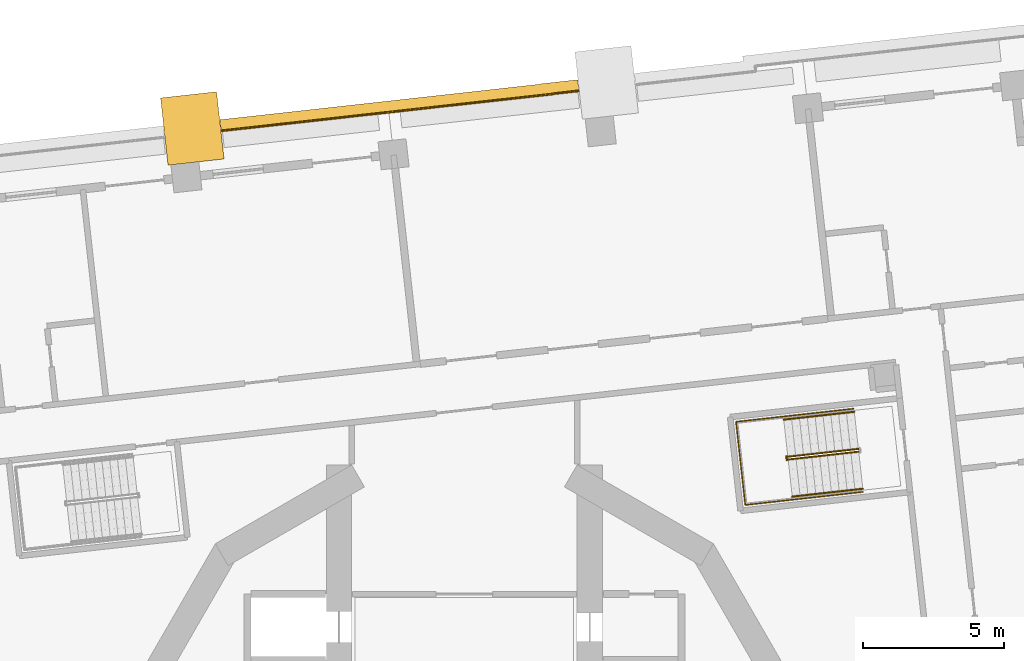
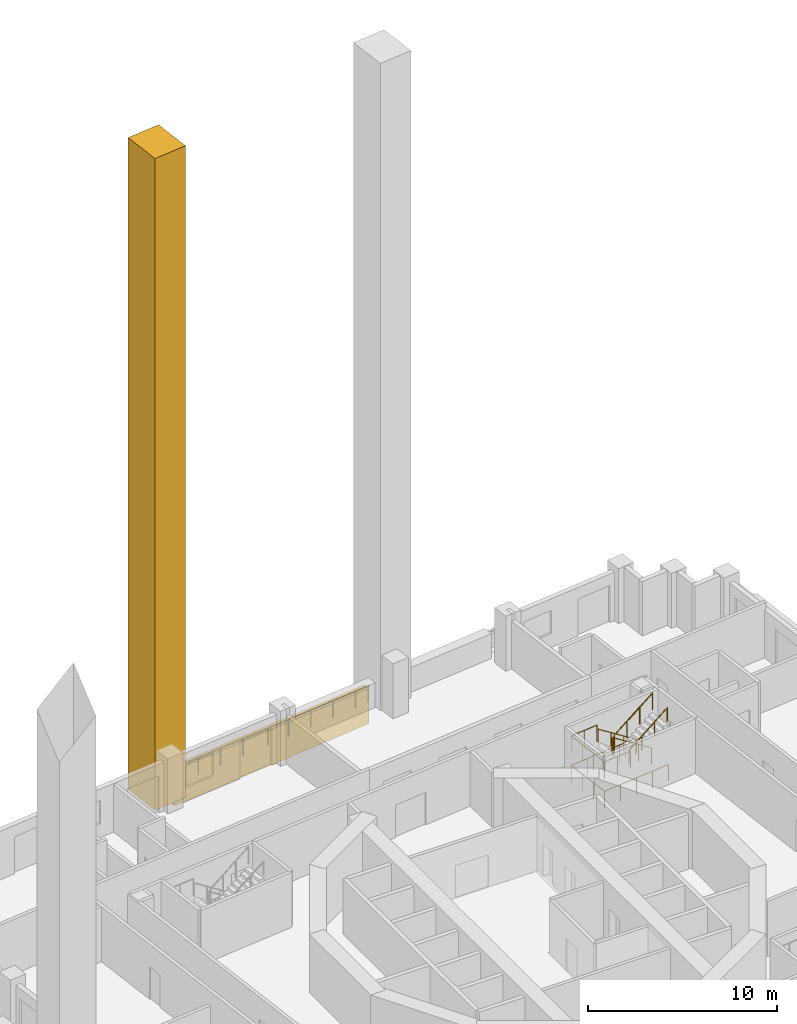
# One storey, part 17 of 20: 7 railings, 2 coverings.
"""IFC4 building model written with IfcOpenShell, lengths in metres."""

from ifc_helpers import new_model, si_unit, direction, frame, origin, origin_2d, place, context, subcontext, project, spatial, polyline, rectangle, circle, outline, extrude, material, type_object, element, save


model = new_model("IFC4")

# Units and contexts
model_context = context("Model", 3, precision=1e-05, world=origin(), true_north=direction((0.0, 1.0)))
body_context = subcontext(model_context, "Body", "Model", "MODEL_VIEW")
ifc_project = project(units=[si_unit("LENGTHUNIT", "METRE"), si_unit("AREAUNIT", "SQUARE_METRE"), si_unit("VOLUMEUNIT", "CUBIC_METRE"), si_unit("PLANEANGLEUNIT", "RADIAN"), si_unit("MASSUNIT", "GRAM", prefix="KILO")], contexts=[model_context])

# Site, building, storey
site_placement = place(None, origin())
site = spatial("IfcSite", under=ifc_project, at=site_placement, CompositionType="ELEMENT")
building_placement = place(site_placement, origin())
building = spatial("IfcBuilding", under=site, at=building_placement, Name="Cantera Rosa Tower", CompositionType="ELEMENT")
storey_placement = place(building_placement, frame((0.0, 0.0, 42.5)))
storey = spatial("IfcBuildingStorey", under=building, at=storey_placement, Name="L07", CompositionType="ELEMENT", Elevation=42.5)

# Railings
ifc_material_1 = material(Name="Stainless steel and laminated glass", Category="steel")
railing_type_1 = type_object("IfcRailingType", Name="GUARD 1100", PredefinedType="BALUSTRADE", material=ifc_material_1)
railing_1_placement = place(storey_placement, frame((-8.6142578125, 23.4931640625, 0.0)))
element("IfcRailing", 1, at=railing_1_placement, inside=storey, type_object=railing_type_1, Name="GUARD L07-5", PredefinedType="BALUSTRADE", context=body_context, shape_type="SweptSolid", body=[
    extrude(circle(Radius=0.030029296875, at=origin_2d()), frame((0.0, 0.0, 1.070068359375), z_axis=(0.994136314057, 0.108134125389, 0.0), x_axis=(-0.108134125389, 0.994136314057, 0.0)), (0.0, 0.0, 1.0), 0.070068359375),
    extrude(circle(Radius=0.030029296875, at=origin_2d()), frame((0.069580078125, 0.007568359375, 1.070068359375), z_axis=(0.993891851654, 0.110358448777, 0.0), x_axis=(-0.110358448777, 0.993891851654, 0.0)), (0.0, 0.0, 1.0), 4.400146484375),
    extrude(circle(Radius=0.030029296875, at=origin_2d()), frame((4.44287109375, 0.4931640625, 1.070068359375), z_axis=(0.993903570985, 0.110252852946, 0.0), x_axis=(-0.110252852946, 0.993903570985, 0.0)), (0.0, 0.0, 1.0), 1.649658203125),
    extrude(circle(Radius=0.030029296875, at=origin_2d()), frame((6.08251953125, 0.675048828125, 1.070068359375), z_axis=(1.0, 0.0, 0.0), x_axis=(0.0, 1.0, 0.0)), (0.0, 0.0, 1.0), 0.000244140625),
    extrude(circle(Radius=0.030029296875, at=origin_2d()), frame((6.082763671875, 0.675048828125, 1.070068359375), z_axis=(0.993896959738, 0.110312435488, 0.0), x_axis=(-0.110312435488, 0.993896959738, 0.0)), (0.0, 0.0, 1.0), 1.35009765625),
    extrude(circle(Radius=0.030029296875, at=origin_2d()), frame((7.424560546875, 0.823974609375, 1.070068359375), z_axis=(0.993896624414, 0.110315456661, 0.0), x_axis=(-0.110315456661, 0.993896624414, 0.0)), (0.0, 0.0, 1.0), 4.386474609375),
    extrude(circle(Radius=0.030029296875, at=origin_2d()), frame((11.7841796875, 1.307861328125, 1.070068359375), z_axis=(0.980580675691, 0.196116135138, 0.0), x_axis=(-0.196116135138, 0.980580675691, 0.0)), (0.0, 0.0, 1.0), 0.003662109375),
    extrude(circle(Radius=0.030029296875, at=origin_2d()), frame((11.787841796875, 1.30859375, 1.070068359375), z_axis=(-0.102028865499, 0.994781438611, 0.0), x_axis=(-0.994781438611, -0.102028865499, 0.0)), (0.0, 0.0, 1.0), 0.009521484375),
    extrude(circle(Radius=0.030029296875, at=origin_2d()), frame((11.786865234375, 1.318115234375, 1.070068359375), z_axis=(0.993914151413, 0.110157431075, 0.0), x_axis=(-0.110157431075, 0.993914151413, 0.0)), (0.0, 0.0, 1.0), 0.8798828125),
    extrude(circle(Radius=0.02490234375, at=origin_2d()), origin(), (0.0, 0.0, 1.0), 1.0400390625),
    extrude(circle(Radius=0.02490234375, at=origin_2d()), frame((0.069580078125, 0.007568359375, 0.0)), (0.0, 0.0, 1.0), 1.0400390625),
    extrude(circle(Radius=0.02490234375, at=origin_2d()), frame((1.52734375, 0.16943359375, 0.0)), (0.0, 0.0, 1.0), 1.0400390625),
    extrude(circle(Radius=0.02490234375, at=origin_2d()), frame((2.985107421875, 0.331298828125, 0.0)), (0.0, 0.0, 1.0), 1.0400390625),
    extrude(circle(Radius=0.02490234375, at=origin_2d()), frame((4.44287109375, 0.4931640625, 0.0)), (0.0, 0.0, 1.0), 1.0400390625),
    extrude(circle(Radius=0.02490234375, at=origin_2d()), frame((6.08251953125, 0.675048828125, 0.0)), (0.0, 0.0, 1.0), 1.0400390625),
    extrude(circle(Radius=0.02490234375, at=origin_2d()), frame((6.082763671875, 0.675048828125, 0.0)), (0.0, 0.0, 1.0), 1.0400390625),
    extrude(circle(Radius=0.02490234375, at=origin_2d()), frame((7.424560546875, 0.823974609375, 0.0)), (0.0, 0.0, 1.0), 1.0400390625),
    extrude(circle(Radius=0.02490234375, at=origin_2d()), frame((8.877685546875, 0.9853515625, 0.0)), (0.0, 0.0, 1.0), 1.0400390625),
    extrude(circle(Radius=0.02490234375, at=origin_2d()), frame((10.3310546875, 1.146484375, 0.0)), (0.0, 0.0, 1.0), 1.0400390625),
    extrude(circle(Radius=0.02490234375, at=origin_2d()), frame((11.7841796875, 1.307861328125, 0.0)), (0.0, 0.0, 1.0), 1.0400390625),
    extrude(circle(Radius=0.02490234375, at=origin_2d()), frame((11.787841796875, 1.30859375, 0.0)), (0.0, 0.0, 1.0), 1.0400390625),
    extrude(circle(Radius=0.02490234375, at=origin_2d()), frame((11.786865234375, 1.318115234375, 0.0)), (0.0, 0.0, 1.0), 1.0400390625),
    extrude(circle(Radius=0.02490234375, at=origin_2d()), frame((12.661376953125, 1.4150390625, 0.0)), (0.0, 0.0, 1.0), 1.0400390625),
])
ifc_material_2 = material(Name="Steel S355J2 (EN 10025-2)", Category="steel")
railing_type_2 = type_object("IfcRailingType", Name="STAIR GUARD 1100", PredefinedType="GUARDRAIL", material=ifc_material_2)
railing_2_placement = place(storey_placement, frame((13.986083984375, 12.203125, 0.18994140625)))
element("IfcRailing", 2, at=railing_2_placement, inside=storey, type_object=railing_type_2, Name="L07 ST-11 stair guard 1", PredefinedType="GUARDRAIL", context=body_context, shape_type="SweptSolid", body=[
    extrude(circle(Radius=0.02392578125, at=origin_2d()), frame((0.0, 0.0, 1.076171875), z_axis=(-0.822431337597, -0.091310000343, 0.561488360321), x_axis=(0.110346460196, -0.993893182753, 0.0)), (0.0, 0.0, 1.0), 3.04541015625),
    extrude(circle(Radius=0.02392578125, at=origin_2d()), frame((-2.504638671875, -0.278076171875, 2.7861328125), z_axis=(-0.931434406233, 0.363909256389, 0.0), x_axis=(-0.363909256389, -0.931434406233, 0.0)), (0.0, 0.0, 1.0), 0.056396484375),
    extrude(circle(Radius=0.02392578125, at=origin_2d()), frame((-2.55712890625, -0.257568359375, 2.7861328125), z_axis=(0.1090029065, -0.994041430915, 0.0), x_axis=(0.994041430915, 0.1090029065, 0.0)), (0.0, 0.0, 1.0), 0.150146484375),
    extrude(circle(Radius=0.02099609375, at=origin_2d()), origin(), (0.0, 0.0, 1.0), 1.052001953125),
    extrude(circle(Radius=0.02099609375, at=origin_2d()), frame((-0.8349609375, -0.0927734375, 0.570068359375)), (0.0, 0.0, 1.0), 1.052001953125),
    extrude(circle(Radius=0.02099609375, at=origin_2d()), frame((-1.669677734375, -0.185302734375, 1.139892578125)), (0.0, 0.0, 1.0), 1.052001953125),
    extrude(circle(Radius=0.02099609375, at=origin_2d()), frame((-2.504638671875, -0.278076171875, 1.7099609375)), (0.0, 0.0, 1.0), 1.052001953125),
    extrude(circle(Radius=0.02099609375, at=origin_2d()), frame((-2.55712890625, -0.257568359375, 1.7099609375)), (0.0, 0.0, 1.0), 1.052001953125),
    extrude(circle(Radius=0.02099609375, at=origin_2d()), frame((-2.540771484375, -0.40673828125, 1.7099609375)), (0.0, 0.0, 1.0), 1.052001953125),
])
railing_3_placement = place(storey_placement, frame((11.4921875, 11.82763671875, 2.090087890625)))
element("IfcRailing", 3, at=railing_3_placement, inside=storey, type_object=railing_type_2, Name="L07 ST-11 stair guard 2", PredefinedType="GUARDRAIL", context=body_context, shape_type="SweptSolid", body=[
    extrude(circle(Radius=0.02392578125, at=origin_2d()), frame((0.0, 0.0, 1.076171875), z_axis=(0.822431337597, 0.091310000343, 0.561488360321), x_axis=(-0.110346460196, 0.993893182753, 0.0)), (0.0, 0.0, 1.0), 3.04541015625),
    extrude(circle(Radius=0.02099609375, at=origin_2d()), origin(), (0.0, 0.0, 1.0), 1.052001953125),
    extrude(circle(Radius=0.02099609375, at=origin_2d()), frame((0.8349609375, 0.0927734375, 0.570068359375)), (0.0, 0.0, 1.0), 1.052001953125),
    extrude(circle(Radius=0.02099609375, at=origin_2d()), frame((1.669677734375, 0.185302734375, 1.139892578125)), (0.0, 0.0, 1.0), 1.052001953125),
    extrude(circle(Radius=0.02099609375, at=origin_2d()), frame((2.504638671875, 0.278076171875, 1.7099609375)), (0.0, 0.0, 1.0), 1.052001953125),
])
railing_4_placement = place(storey_placement, frame((13.815673828125, 13.629150390625, 0.0)))
element("IfcRailing", 4, at=railing_4_placement, inside=storey, type_object=railing_type_2, Name="L07 ST-11 stair guard 4", PredefinedType="GUARDRAIL", context=body_context, shape_type="SweptSolid", body=[
    extrude(circle(Radius=0.02392578125, at=origin_2d()), frame((0.0, 0.0, 1.076171875), z_axis=(-0.9938957856, -0.110323013767, 0.0), x_axis=(0.110323013767, -0.9938957856, 0.0)), (0.0, 0.0, 1.0), 4.197998046875),
    extrude(circle(Radius=0.02392578125, at=origin_2d()), frame((-4.17236328125, -0.463134765625, 1.076171875), z_axis=(0.110314237986, -0.993896759678, 0.0), x_axis=(0.993896759678, 0.110314237986, 0.0)), (0.0, 0.0, 1.0), 2.969970703125),
    extrude(circle(Radius=0.02392578125, at=origin_2d()), frame((-3.8447265625, -3.4150390625, 1.076171875), z_axis=(0.9938957856, 0.110323013767, 0.0), x_axis=(-0.110323013767, 0.9938957856, 0.0)), (0.0, 0.0, 1.0), 4.197998046875),
    extrude(circle(Radius=0.02099609375, at=origin_2d()), origin(), (0.0, 0.0, 1.0), 1.052001953125),
    extrude(circle(Radius=0.02099609375, at=origin_2d()), frame((-1.04296875, -0.11572265625, 0.0)), (0.0, 0.0, 1.0), 1.052001953125),
    extrude(circle(Radius=0.02099609375, at=origin_2d()), frame((-2.086181640625, -0.2314453125, 0.0)), (0.0, 0.0, 1.0), 1.052001953125),
    extrude(circle(Radius=0.02099609375, at=origin_2d()), frame((-3.12939453125, -0.347412109375, 0.0)), (0.0, 0.0, 1.0), 1.052001953125),
    extrude(circle(Radius=0.02099609375, at=origin_2d()), frame((-4.17236328125, -0.463134765625, 0.0)), (0.0, 0.0, 1.0), 1.052001953125),
    extrude(circle(Radius=0.02099609375, at=origin_2d()), frame((-4.063232421875, -1.447021484375, 0.0)), (0.0, 0.0, 1.0), 1.052001953125),
    extrude(circle(Radius=0.02099609375, at=origin_2d()), frame((-3.953857421875, -2.43115234375, 0.0)), (0.0, 0.0, 1.0), 1.052001953125),
    extrude(circle(Radius=0.02099609375, at=origin_2d()), frame((-3.8447265625, -3.4150390625, 0.0)), (0.0, 0.0, 1.0), 1.052001953125),
    extrude(circle(Radius=0.02099609375, at=origin_2d()), frame((-2.8017578125, -3.29931640625, 0.0)), (0.0, 0.0, 1.0), 1.052001953125),
    extrude(circle(Radius=0.02099609375, at=origin_2d()), frame((-1.758544921875, -3.18359375, 0.0)), (0.0, 0.0, 1.0), 1.052001953125),
    extrude(circle(Radius=0.02099609375, at=origin_2d()), frame((-0.71533203125, -3.067626953125, 0.0)), (0.0, 0.0, 1.0), 1.052001953125),
    extrude(circle(Radius=0.02099609375, at=origin_2d()), frame((0.32763671875, -2.951904296875, 0.0)), (0.0, 0.0, 1.0), 1.052001953125),
])
railing_5_placement = place(storey_placement, frame((11.3349609375, 13.353759765625, 1.89990234375)))
element("IfcRailing", 5, at=railing_5_placement, inside=storey, type_object=railing_type_2, Name="L07 ST-11 stair guard 5", PredefinedType="GUARDRAIL", context=body_context, shape_type="SweptSolid", body=[
    extrude(circle(Radius=0.02392578125, at=origin_2d()), frame((0.0, 0.0, 1.076171875), z_axis=(-0.993897720867, -0.110305577623, 0.0), x_axis=(0.110305577623, -0.993897720867, 0.0)), (0.0, 0.0, 1.0), 1.7021484375),
    extrude(circle(Radius=0.02392578125, at=origin_2d()), frame((-1.691650390625, -0.187744140625, 1.076171875), z_axis=(0.110314237986, -0.993896759678, 0.0), x_axis=(0.993896759678, 0.110314237986, 0.0)), (0.0, 0.0, 1.0), 2.969970703125),
    extrude(circle(Radius=0.02392578125, at=origin_2d()), frame((-1.364013671875, -3.1396484375, 1.076171875), z_axis=(0.993897720867, 0.110305577623, 0.0), x_axis=(-0.110305577623, 0.993897720867, 0.0)), (0.0, 0.0, 1.0), 1.7021484375),
    extrude(circle(Radius=0.02099609375, at=origin_2d()), origin(), (0.0, 0.0, 1.0), 1.052001953125),
    extrude(circle(Radius=0.02099609375, at=origin_2d()), frame((-0.845703125, -0.09375, 0.0)), (0.0, 0.0, 1.0), 1.052001953125),
    extrude(circle(Radius=0.02099609375, at=origin_2d()), frame((-1.691650390625, -0.187744140625, 0.0)), (0.0, 0.0, 1.0), 1.052001953125),
    extrude(circle(Radius=0.02099609375, at=origin_2d()), frame((-1.58251953125, -1.171630859375, 0.0)), (0.0, 0.0, 1.0), 1.052001953125),
    extrude(circle(Radius=0.02099609375, at=origin_2d()), frame((-1.47314453125, -2.15576171875, 0.0)), (0.0, 0.0, 1.0), 1.052001953125),
    extrude(circle(Radius=0.02099609375, at=origin_2d()), frame((-1.364013671875, -3.1396484375, 0.0)), (0.0, 0.0, 1.0), 1.052001953125),
    extrude(circle(Radius=0.02099609375, at=origin_2d()), frame((-0.51806640625, -3.0458984375, 0.0)), (0.0, 0.0, 1.0), 1.052001953125),
    extrude(circle(Radius=0.02099609375, at=origin_2d()), frame((0.32763671875, -2.951904296875, 0.0)), (0.0, 0.0, 1.0), 1.052001953125),
])
ifc_material_3 = material(Name="Steel S355J2 (EN 10025-2)", Category="steel")
railing_type_3 = type_object("IfcRailingType", Name="STAIR HANDRAIL 900", PredefinedType="HANDRAIL", material=ifc_material_3)
railing_6_placement = place(storey_placement, frame((13.83984375, 13.52099609375, 0.18994140625)))
element("IfcRailing", 6, at=railing_6_placement, inside=storey, type_object=railing_type_3, Name="L07 ST-11 stair handrail 1", PredefinedType="HANDRAIL", context=body_context, shape_type="SweptSolid", body=[
    extrude(circle(Radius=0.02392578125, at=origin_2d()), frame((0.0, 0.0, 0.8759765625), z_axis=(-0.822437355244, -0.09123050105, 0.561492468674), x_axis=(0.110250758185, -0.993903803353, 0.0)), (0.0, 0.0, 1.0), 3.04541015625),
    extrude(circle(Radius=0.02099609375, at=origin_2d()), origin(), (0.0, 0.0, 1.0), 0.851806640625),
    extrude(circle(Radius=0.02099609375, at=origin_2d()), frame((-0.8349609375, -0.092529296875, 0.570068359375)), (0.0, 0.0, 1.0), 0.851806640625),
    extrude(circle(Radius=0.02099609375, at=origin_2d()), frame((-1.669677734375, -0.185302734375, 1.139892578125)), (0.0, 0.0, 1.0), 0.851806640625),
    extrude(circle(Radius=0.02099609375, at=origin_2d()), frame((-2.504638671875, -0.27783203125, 1.7099609375)), (0.0, 0.0, 1.0), 0.851806640625),
])
railing_7_placement = place(storey_placement, frame((11.638427734375, 10.509765625, 2.090087890625)))
element("IfcRailing", 7, at=railing_7_placement, inside=storey, type_object=railing_type_3, Name="L07 ST-11 stair handrail 2", PredefinedType="HANDRAIL", context=body_context, shape_type="SweptSolid", body=[
    extrude(circle(Radius=0.02392578125, at=origin_2d()), frame((0.0, 0.0, 0.8759765625), z_axis=(0.822431337597, 0.091310000343, 0.561488360321), x_axis=(-0.110346460196, 0.993893182753, 0.0)), (0.0, 0.0, 1.0), 3.04541015625),
    extrude(circle(Radius=0.02099609375, at=origin_2d()), origin(), (0.0, 0.0, 1.0), 0.851806640625),
    extrude(circle(Radius=0.02099609375, at=origin_2d()), frame((0.8349609375, 0.0927734375, 0.570068359375)), (0.0, 0.0, 1.0), 0.851806640625),
    extrude(circle(Radius=0.02099609375, at=origin_2d()), frame((1.669677734375, 0.185302734375, 1.139892578125)), (0.0, 0.0, 1.0), 0.851806640625),
    extrude(circle(Radius=0.02099609375, at=origin_2d()), frame((2.504638671875, 0.278076171875, 1.7099609375)), (0.0, 0.0, 1.0), 0.851806640625),
])

# Coverings
ifc_material_4 = material(Name="Cantera stone", Category="masonry")
covering_type_1 = type_object("IfcCoveringType", Name="STONE FIN 2000x2400", PredefinedType="CLADDING", material=ifc_material_4)
covering_1_placement = place(storey_placement, frame((-9.659912109375, 23.578369140625, -0.300048828125), z_axis=(0.0, 0.0, 1.0), x_axis=(-0.993896946415, -0.110312555526, 0.0)))
element("IfcCovering", 8, at=covering_1_placement, inside=storey, type_object=covering_type_1, Name="STONE FIN FN-Z1-04", PredefinedType="CLADDING", context=body_context, shape_type="SweptSolid", body=[
    extrude(rectangle(XDim=2.0, YDim=2.39990234375, at=origin_2d()), origin(), (0.0, 0.0, 1.0), 42.10009765625),
])
ifc_material_5 = material(Name="Cantera stone", Category="masonry")
covering_type_2 = type_object("IfcCoveringType", Name="TRAY FASCIA 400", PredefinedType="CLADDING", material=ifc_material_5)
covering_2_placement = place(storey_placement, frame((0.0, 0.0, -1.39990234375)))
element("IfcCovering", 9, at=covering_2_placement, inside=storey, type_object=covering_type_2, Name="TRAY FASCIA L07-02", PredefinedType="CLADDING", context=body_context, shape_type="SweptSolid", body=[
    extrude(outline(polyline([(-8.588623046875, 23.8984375), (-4.215576171875, 24.3837890625), (-1.23388671875, 24.71484375), (2.73193359375, 25.15478515625), (2.73095703125, 25.16455078125), (4.022705078125, 25.30810546875), (4.06689453125, 24.910400390625), (3.172607421875, 24.811279296875), (3.173583984375, 24.801513671875), (-1.189697265625, 24.317138671875), (-4.17138671875, 23.986328125), (-8.544677734375, 23.500732421875), (-8.634033203125, 23.490966796875), (-8.67822265625, 23.888427734375), (-8.588623046875, 23.8984375)])), origin(), (0.0, 0.0, 1.0), 2.2998046875),
])

save(model, "model.ifc")
